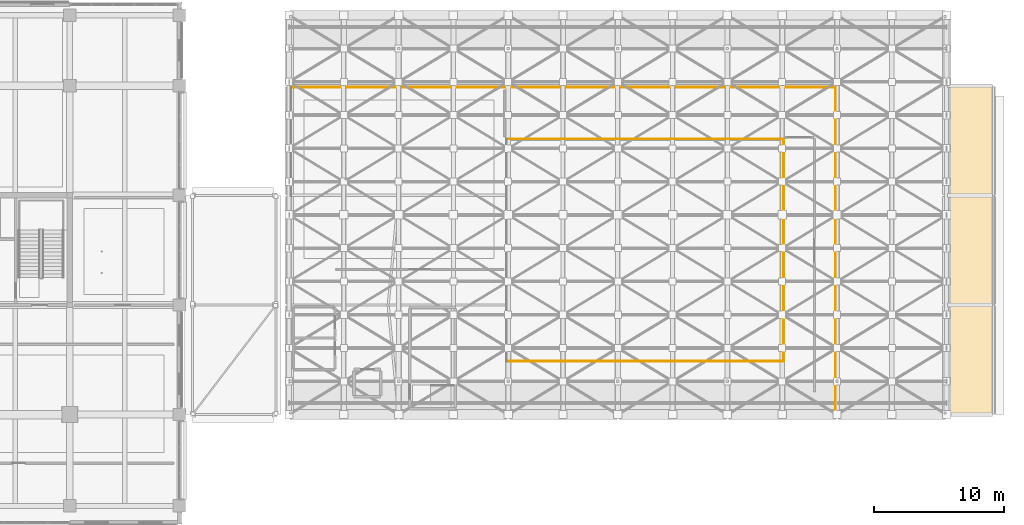
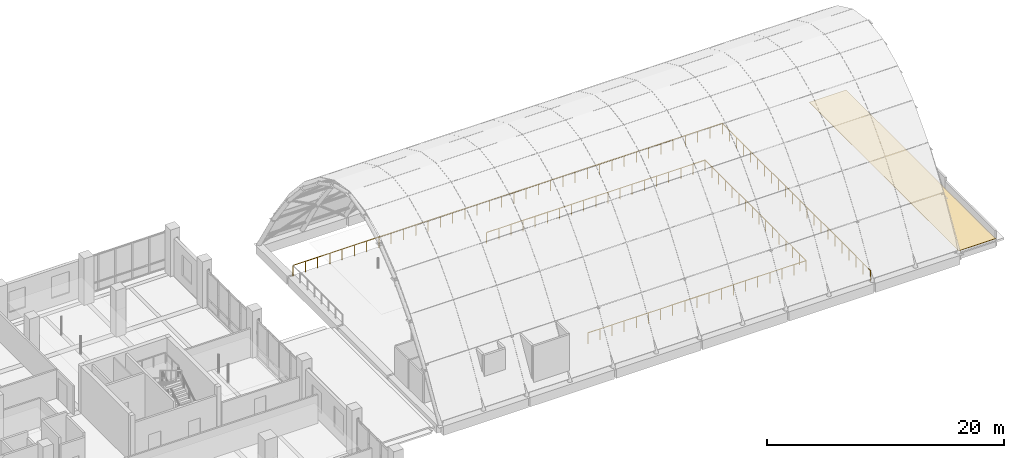
# One storey, part 128 of 128: 5 railings, 1 covering.
"""IFC4 building model written with IfcOpenShell, lengths in metres."""

from ifc_helpers import new_model, si_unit, direction, frame, origin, origin_2d, place, context, subcontext, project, spatial, polyline, circle, outline, extrude, material, layer, layer_set, type_object, element, save


model = new_model("IFC4")

# Units and contexts
model_context = context("Model", 3, precision=1e-05, world=origin(), true_north=direction((0.0, 1.0)))
body_context = subcontext(model_context, "Body", "Model", "MODEL_VIEW")
ifc_project = project(units=[si_unit("LENGTHUNIT", "METRE"), si_unit("AREAUNIT", "SQUARE_METRE"), si_unit("VOLUMEUNIT", "CUBIC_METRE"), si_unit("PLANEANGLEUNIT", "RADIAN"), si_unit("MASSUNIT", "GRAM", prefix="KILO")], contexts=[model_context])

# Site, building, storey
site_placement = place(None, origin())
site = spatial("IfcSite", under=ifc_project, at=site_placement, CompositionType="ELEMENT")
building_placement = place(site_placement, origin())
building = spatial("IfcBuilding", under=site, at=building_placement, Name="Telukmera Botanical Conservatory", CompositionType="ELEMENT")
storey_placement = place(building_placement, frame((0.0, 0.0, 5.39990234375)))
storey = spatial("IfcBuildingStorey", under=building, at=storey_placement, Name="L01", CompositionType="ELEMENT", Elevation=5.39990234375)

# Railings
ifc_material_1 = material(Name="Brushed stainless steel grade 316", Category="steel")
railing_type = type_object("IfcRailingType", Name="Conservatory Canopy Walkway Guardrail 1100", PredefinedType="GUARDRAIL", material=ifc_material_1)
railing_1_placement = place(storey_placement, frame((134.280029296875, 21.679931640625, 0.0)))
element("IfcRailing", 1, at=railing_1_placement, inside=storey, type_object=railing_type, Name="Conservatory Canopy Walkway Guardrail VOID_S", PredefinedType="GUARDRAIL", context=body_context, shape_type="SweptSolid", body=[
    extrude(circle(Radius=0.02490234375, at=origin_2d()), frame((0.0, 0.0, 1.09521484375), z_axis=(1.0, 0.0, 0.0), x_axis=(0.0, 1.0, 0.0)), (0.0, 0.0, 1.0), 21.239990234375),
    extrude(circle(Radius=0.02099609375, at=origin_2d()), origin(), (0.0, 0.0, 1.0), 1.070068359375),
    extrude(circle(Radius=0.02099609375, at=origin_2d()), frame((1.179931640625, 0.0, 0.0)), (0.0, 0.0, 1.0), 1.070068359375),
    extrude(circle(Radius=0.02099609375, at=origin_2d()), frame((2.360107421875, 0.0, 0.0)), (0.0, 0.0, 1.0), 1.070068359375),
    extrude(circle(Radius=0.02099609375, at=origin_2d()), frame((3.5400390625, 0.0, 0.0)), (0.0, 0.0, 1.0), 1.070068359375),
    extrude(circle(Radius=0.02099609375, at=origin_2d()), frame((4.719970703125, 0.0, 0.0)), (0.0, 0.0, 1.0), 1.070068359375),
    extrude(circle(Radius=0.02099609375, at=origin_2d()), frame((5.89990234375, 0.0, 0.0)), (0.0, 0.0, 1.0), 1.070068359375),
    extrude(circle(Radius=0.02099609375, at=origin_2d()), frame((7.080078125, 0.0, 0.0)), (0.0, 0.0, 1.0), 1.070068359375),
    extrude(circle(Radius=0.02099609375, at=origin_2d()), frame((8.260009765625, 0.0, 0.0)), (0.0, 0.0, 1.0), 1.070068359375),
    extrude(circle(Radius=0.02099609375, at=origin_2d()), frame((9.43994140625, 0.0, 0.0)), (0.0, 0.0, 1.0), 1.070068359375),
    extrude(circle(Radius=0.02099609375, at=origin_2d()), frame((10.6201171875, 0.0, 0.0)), (0.0, 0.0, 1.0), 1.070068359375),
    extrude(circle(Radius=0.02099609375, at=origin_2d()), frame((11.800048828125, 0.0, 0.0)), (0.0, 0.0, 1.0), 1.070068359375),
    extrude(circle(Radius=0.02099609375, at=origin_2d()), frame((12.97998046875, 0.0, 0.0)), (0.0, 0.0, 1.0), 1.070068359375),
    extrude(circle(Radius=0.02099609375, at=origin_2d()), frame((14.159912109375, 0.0, 0.0)), (0.0, 0.0, 1.0), 1.070068359375),
    extrude(circle(Radius=0.02099609375, at=origin_2d()), frame((15.340087890625, 0.0, 0.0)), (0.0, 0.0, 1.0), 1.070068359375),
    extrude(circle(Radius=0.02099609375, at=origin_2d()), frame((16.52001953125, 0.0, 0.0)), (0.0, 0.0, 1.0), 1.070068359375),
    extrude(circle(Radius=0.02099609375, at=origin_2d()), frame((17.699951171875, 0.0, 0.0)), (0.0, 0.0, 1.0), 1.070068359375),
    extrude(circle(Radius=0.02099609375, at=origin_2d()), frame((18.8798828125, 0.0, 0.0)), (0.0, 0.0, 1.0), 1.070068359375),
    extrude(circle(Radius=0.02099609375, at=origin_2d()), frame((20.06005859375, 0.0, 0.0)), (0.0, 0.0, 1.0), 1.070068359375),
    extrude(circle(Radius=0.02099609375, at=origin_2d()), frame((21.239990234375, 0.0, 0.0)), (0.0, 0.0, 1.0), 1.070068359375),
])
railing_2_placement = place(storey_placement, frame((155.52001953125, 21.679931640625, 0.0)))
element("IfcRailing", 2, at=railing_2_placement, inside=storey, type_object=railing_type, Name="Conservatory Canopy Walkway Guardrail VOID_E", PredefinedType="GUARDRAIL", context=body_context, shape_type="SweptSolid", body=[
    extrude(circle(Radius=0.02490234375, at=origin_2d()), frame((0.0, 0.0, 1.09521484375), z_axis=(0.0, 1.0, 0.0), x_axis=(-1.0, 0.0, 0.0)), (0.0, 0.0, 1.0), 17.0400390625),
    extrude(circle(Radius=0.02099609375, at=origin_2d()), origin(), (0.0, 0.0, 1.0), 1.070068359375),
    extrude(circle(Radius=0.02099609375, at=origin_2d()), frame((0.0, 1.135986328125, 0.0)), (0.0, 0.0, 1.0), 1.070068359375),
    extrude(circle(Radius=0.02099609375, at=origin_2d()), frame((0.0, 2.27197265625, 0.0)), (0.0, 0.0, 1.0), 1.070068359375),
    extrude(circle(Radius=0.02099609375, at=origin_2d()), frame((0.0, 3.407958984375, 0.0)), (0.0, 0.0, 1.0), 1.070068359375),
    extrude(circle(Radius=0.02099609375, at=origin_2d()), frame((0.0, 4.5439453125, 0.0)), (0.0, 0.0, 1.0), 1.070068359375),
    extrude(circle(Radius=0.02099609375, at=origin_2d()), frame((0.0, 5.679931640625, 0.0)), (0.0, 0.0, 1.0), 1.070068359375),
    extrude(circle(Radius=0.02099609375, at=origin_2d()), frame((0.0, 6.81591796875, 0.0)), (0.0, 0.0, 1.0), 1.070068359375),
    extrude(circle(Radius=0.02099609375, at=origin_2d()), frame((0.0, 7.951904296875, 0.0)), (0.0, 0.0, 1.0), 1.070068359375),
    extrude(circle(Radius=0.02099609375, at=origin_2d()), frame((0.0, 9.088134765625, 0.0)), (0.0, 0.0, 1.0), 1.070068359375),
    extrude(circle(Radius=0.02099609375, at=origin_2d()), frame((0.0, 10.22412109375, 0.0)), (0.0, 0.0, 1.0), 1.070068359375),
    extrude(circle(Radius=0.02099609375, at=origin_2d()), frame((0.0, 11.360107421875, 0.0)), (0.0, 0.0, 1.0), 1.070068359375),
    extrude(circle(Radius=0.02099609375, at=origin_2d()), frame((0.0, 12.49609375, 0.0)), (0.0, 0.0, 1.0), 1.070068359375),
    extrude(circle(Radius=0.02099609375, at=origin_2d()), frame((0.0, 13.632080078125, 0.0)), (0.0, 0.0, 1.0), 1.070068359375),
    extrude(circle(Radius=0.02099609375, at=origin_2d()), frame((0.0, 14.76806640625, 0.0)), (0.0, 0.0, 1.0), 1.070068359375),
    extrude(circle(Radius=0.02099609375, at=origin_2d()), frame((0.0, 15.904052734375, 0.0)), (0.0, 0.0, 1.0), 1.070068359375),
    extrude(circle(Radius=0.02099609375, at=origin_2d()), frame((0.0, 17.0400390625, 0.0)), (0.0, 0.0, 1.0), 1.070068359375),
])
railing_3_placement = place(storey_placement, frame((155.52001953125, 38.719970703125, 0.0)))
element("IfcRailing", 3, at=railing_3_placement, inside=storey, type_object=railing_type, Name="Conservatory Canopy Walkway Guardrail VOID_N", PredefinedType="GUARDRAIL", context=body_context, shape_type="SweptSolid", body=[
    extrude(circle(Radius=0.02490234375, at=origin_2d()), frame((0.0, 0.0, 1.09521484375), z_axis=(-1.0, 0.0, 0.0), x_axis=(0.0, -1.0, 0.0)), (0.0, 0.0, 1.0), 21.239990234375),
    extrude(circle(Radius=0.02099609375, at=origin_2d()), origin(), (0.0, 0.0, 1.0), 1.070068359375),
    extrude(circle(Radius=0.02099609375, at=origin_2d()), frame((-1.179931640625, 0.0, 0.0)), (0.0, 0.0, 1.0), 1.070068359375),
    extrude(circle(Radius=0.02099609375, at=origin_2d()), frame((-2.360107421875, 0.0, 0.0)), (0.0, 0.0, 1.0), 1.070068359375),
    extrude(circle(Radius=0.02099609375, at=origin_2d()), frame((-3.5400390625, 0.0, 0.0)), (0.0, 0.0, 1.0), 1.070068359375),
    extrude(circle(Radius=0.02099609375, at=origin_2d()), frame((-4.719970703125, 0.0, 0.0)), (0.0, 0.0, 1.0), 1.070068359375),
    extrude(circle(Radius=0.02099609375, at=origin_2d()), frame((-5.89990234375, 0.0, 0.0)), (0.0, 0.0, 1.0), 1.070068359375),
    extrude(circle(Radius=0.02099609375, at=origin_2d()), frame((-7.080078125, 0.0, 0.0)), (0.0, 0.0, 1.0), 1.070068359375),
    extrude(circle(Radius=0.02099609375, at=origin_2d()), frame((-8.260009765625, 0.0, 0.0)), (0.0, 0.0, 1.0), 1.070068359375),
    extrude(circle(Radius=0.02099609375, at=origin_2d()), frame((-9.43994140625, 0.0, 0.0)), (0.0, 0.0, 1.0), 1.070068359375),
    extrude(circle(Radius=0.02099609375, at=origin_2d()), frame((-10.6201171875, 0.0, 0.0)), (0.0, 0.0, 1.0), 1.070068359375),
    extrude(circle(Radius=0.02099609375, at=origin_2d()), frame((-11.800048828125, 0.0, 0.0)), (0.0, 0.0, 1.0), 1.070068359375),
    extrude(circle(Radius=0.02099609375, at=origin_2d()), frame((-12.97998046875, 0.0, 0.0)), (0.0, 0.0, 1.0), 1.070068359375),
    extrude(circle(Radius=0.02099609375, at=origin_2d()), frame((-14.159912109375, 0.0, 0.0)), (0.0, 0.0, 1.0), 1.070068359375),
    extrude(circle(Radius=0.02099609375, at=origin_2d()), frame((-15.340087890625, 0.0, 0.0)), (0.0, 0.0, 1.0), 1.070068359375),
    extrude(circle(Radius=0.02099609375, at=origin_2d()), frame((-16.52001953125, 0.0, 0.0)), (0.0, 0.0, 1.0), 1.070068359375),
    extrude(circle(Radius=0.02099609375, at=origin_2d()), frame((-17.699951171875, 0.0, 0.0)), (0.0, 0.0, 1.0), 1.070068359375),
    extrude(circle(Radius=0.02099609375, at=origin_2d()), frame((-18.8798828125, 0.0, 0.0)), (0.0, 0.0, 1.0), 1.070068359375),
    extrude(circle(Radius=0.02099609375, at=origin_2d()), frame((-20.06005859375, 0.0, 0.0)), (0.0, 0.0, 1.0), 1.070068359375),
    extrude(circle(Radius=0.02099609375, at=origin_2d()), frame((-21.239990234375, 0.0, 0.0)), (0.0, 0.0, 1.0), 1.070068359375),
])
railing_4_placement = place(storey_placement, frame((159.47998046875, 17.75, 0.0)))
element("IfcRailing", 4, at=railing_4_placement, inside=storey, type_object=railing_type, Name="Conservatory Canopy Walkway Guardrail OUTER_E", PredefinedType="GUARDRAIL", context=body_context, shape_type="SweptSolid", body=[
    extrude(circle(Radius=0.02490234375, at=origin_2d()), frame((0.0, 0.0, 1.09521484375), z_axis=(0.0, 1.0, 0.0), x_axis=(-1.0, 0.0, 0.0)), (0.0, 0.0, 1.0), 24.929931640625),
    extrude(circle(Radius=0.02099609375, at=origin_2d()), origin(), (0.0, 0.0, 1.0), 1.070068359375),
    extrude(circle(Radius=0.02099609375, at=origin_2d()), frame((0.0, 1.187255859375, 0.0)), (0.0, 0.0, 1.0), 1.070068359375),
    extrude(circle(Radius=0.02099609375, at=origin_2d()), frame((0.0, 2.374267578125, 0.0)), (0.0, 0.0, 1.0), 1.070068359375),
    extrude(circle(Radius=0.02099609375, at=origin_2d()), frame((0.0, 3.5615234375, 0.0)), (0.0, 0.0, 1.0), 1.070068359375),
    extrude(circle(Radius=0.02099609375, at=origin_2d()), frame((0.0, 4.74853515625, 0.0)), (0.0, 0.0, 1.0), 1.070068359375),
    extrude(circle(Radius=0.02099609375, at=origin_2d()), frame((0.0, 5.935791015625, 0.0)), (0.0, 0.0, 1.0), 1.070068359375),
    extrude(circle(Radius=0.02099609375, at=origin_2d()), frame((0.0, 7.122802734375, 0.0)), (0.0, 0.0, 1.0), 1.070068359375),
    extrude(circle(Radius=0.02099609375, at=origin_2d()), frame((0.0, 8.31005859375, 0.0)), (0.0, 0.0, 1.0), 1.070068359375),
    extrude(circle(Radius=0.02099609375, at=origin_2d()), frame((0.0, 9.4970703125, 0.0)), (0.0, 0.0, 1.0), 1.070068359375),
    extrude(circle(Radius=0.02099609375, at=origin_2d()), frame((0.0, 10.684326171875, 0.0)), (0.0, 0.0, 1.0), 1.070068359375),
    extrude(circle(Radius=0.02099609375, at=origin_2d()), frame((0.0, 11.871337890625, 0.0)), (0.0, 0.0, 1.0), 1.070068359375),
    extrude(circle(Radius=0.02099609375, at=origin_2d()), frame((0.0, 13.05859375, 0.0)), (0.0, 0.0, 1.0), 1.070068359375),
    extrude(circle(Radius=0.02099609375, at=origin_2d()), frame((0.0, 14.24560546875, 0.0)), (0.0, 0.0, 1.0), 1.070068359375),
    extrude(circle(Radius=0.02099609375, at=origin_2d()), frame((0.0, 15.432861328125, 0.0)), (0.0, 0.0, 1.0), 1.070068359375),
    extrude(circle(Radius=0.02099609375, at=origin_2d()), frame((0.0, 16.619873046875, 0.0)), (0.0, 0.0, 1.0), 1.070068359375),
    extrude(circle(Radius=0.02099609375, at=origin_2d()), frame((0.0, 17.80712890625, 0.0)), (0.0, 0.0, 1.0), 1.070068359375),
    extrude(circle(Radius=0.02099609375, at=origin_2d()), frame((0.0, 18.994140625, 0.0)), (0.0, 0.0, 1.0), 1.070068359375),
    extrude(circle(Radius=0.02099609375, at=origin_2d()), frame((0.0, 20.181396484375, 0.0)), (0.0, 0.0, 1.0), 1.070068359375),
    extrude(circle(Radius=0.02099609375, at=origin_2d()), frame((0.0, 21.368408203125, 0.0)), (0.0, 0.0, 1.0), 1.070068359375),
    extrude(circle(Radius=0.02099609375, at=origin_2d()), frame((0.0, 22.5556640625, 0.0)), (0.0, 0.0, 1.0), 1.070068359375),
    extrude(circle(Radius=0.02099609375, at=origin_2d()), frame((0.0, 23.74267578125, 0.0)), (0.0, 0.0, 1.0), 1.070068359375),
    extrude(circle(Radius=0.02099609375, at=origin_2d()), frame((0.0, 24.929931640625, 0.0)), (0.0, 0.0, 1.0), 1.070068359375),
])
railing_5_placement = place(storey_placement, frame((117.75, 42.679931640625, 0.0)))
element("IfcRailing", 5, at=railing_5_placement, inside=storey, type_object=railing_type, Name="Conservatory Canopy Walkway Guardrail OUTER_N", PredefinedType="GUARDRAIL", context=body_context, shape_type="SweptSolid", body=[
    extrude(circle(Radius=0.02490234375, at=origin_2d()), frame((0.0, 0.0, 1.09521484375), z_axis=(1.0, 0.0, 0.0), x_axis=(0.0, 1.0, 0.0)), (0.0, 0.0, 1.0), 41.72998046875),
    extrude(circle(Radius=0.02099609375, at=origin_2d()), origin(), (0.0, 0.0, 1.0), 1.070068359375),
    extrude(circle(Radius=0.02099609375, at=origin_2d()), frame((1.1923828125, 0.0, 0.0)), (0.0, 0.0, 1.0), 1.070068359375),
    extrude(circle(Radius=0.02099609375, at=origin_2d()), frame((2.384521484375, 0.0, 0.0)), (0.0, 0.0, 1.0), 1.070068359375),
    extrude(circle(Radius=0.02099609375, at=origin_2d()), frame((3.576904296875, 0.0, 0.0)), (0.0, 0.0, 1.0), 1.070068359375),
    extrude(circle(Radius=0.02099609375, at=origin_2d()), frame((4.76904296875, 0.0, 0.0)), (0.0, 0.0, 1.0), 1.070068359375),
    extrude(circle(Radius=0.02099609375, at=origin_2d()), frame((5.96142578125, 0.0, 0.0)), (0.0, 0.0, 1.0), 1.070068359375),
    extrude(circle(Radius=0.02099609375, at=origin_2d()), frame((7.15380859375, 0.0, 0.0)), (0.0, 0.0, 1.0), 1.070068359375),
    extrude(circle(Radius=0.02099609375, at=origin_2d()), frame((8.345947265625, 0.0, 0.0)), (0.0, 0.0, 1.0), 1.070068359375),
    extrude(circle(Radius=0.02099609375, at=origin_2d()), frame((9.538330078125, 0.0, 0.0)), (0.0, 0.0, 1.0), 1.070068359375),
    extrude(circle(Radius=0.02099609375, at=origin_2d()), frame((10.73046875, 0.0, 0.0)), (0.0, 0.0, 1.0), 1.070068359375),
    extrude(circle(Radius=0.02099609375, at=origin_2d()), frame((11.9228515625, 0.0, 0.0)), (0.0, 0.0, 1.0), 1.070068359375),
    extrude(circle(Radius=0.02099609375, at=origin_2d()), frame((13.115234375, 0.0, 0.0)), (0.0, 0.0, 1.0), 1.070068359375),
    extrude(circle(Radius=0.02099609375, at=origin_2d()), frame((14.307373046875, 0.0, 0.0)), (0.0, 0.0, 1.0), 1.070068359375),
    extrude(circle(Radius=0.02099609375, at=origin_2d()), frame((15.499755859375, 0.0, 0.0)), (0.0, 0.0, 1.0), 1.070068359375),
    extrude(circle(Radius=0.02099609375, at=origin_2d()), frame((16.69189453125, 0.0, 0.0)), (0.0, 0.0, 1.0), 1.070068359375),
    extrude(circle(Radius=0.02099609375, at=origin_2d()), frame((17.88427734375, 0.0, 0.0)), (0.0, 0.0, 1.0), 1.070068359375),
    extrude(circle(Radius=0.02099609375, at=origin_2d()), frame((19.07666015625, 0.0, 0.0)), (0.0, 0.0, 1.0), 1.070068359375),
    extrude(circle(Radius=0.02099609375, at=origin_2d()), frame((20.268798828125, 0.0, 0.0)), (0.0, 0.0, 1.0), 1.070068359375),
    extrude(circle(Radius=0.02099609375, at=origin_2d()), frame((21.461181640625, 0.0, 0.0)), (0.0, 0.0, 1.0), 1.070068359375),
    extrude(circle(Radius=0.02099609375, at=origin_2d()), frame((22.6533203125, 0.0, 0.0)), (0.0, 0.0, 1.0), 1.070068359375),
    extrude(circle(Radius=0.02099609375, at=origin_2d()), frame((23.845703125, 0.0, 0.0)), (0.0, 0.0, 1.0), 1.070068359375),
    extrude(circle(Radius=0.02099609375, at=origin_2d()), frame((25.0380859375, 0.0, 0.0)), (0.0, 0.0, 1.0), 1.070068359375),
    extrude(circle(Radius=0.02099609375, at=origin_2d()), frame((26.230224609375, 0.0, 0.0)), (0.0, 0.0, 1.0), 1.070068359375),
    extrude(circle(Radius=0.02099609375, at=origin_2d()), frame((27.422607421875, 0.0, 0.0)), (0.0, 0.0, 1.0), 1.070068359375),
    extrude(circle(Radius=0.02099609375, at=origin_2d()), frame((28.61474609375, 0.0, 0.0)), (0.0, 0.0, 1.0), 1.070068359375),
    extrude(circle(Radius=0.02099609375, at=origin_2d()), frame((29.80712890625, 0.0, 0.0)), (0.0, 0.0, 1.0), 1.070068359375),
    extrude(circle(Radius=0.02099609375, at=origin_2d()), frame((30.99951171875, 0.0, 0.0)), (0.0, 0.0, 1.0), 1.070068359375),
    extrude(circle(Radius=0.02099609375, at=origin_2d()), frame((32.191650390625, 0.0, 0.0)), (0.0, 0.0, 1.0), 1.070068359375),
    extrude(circle(Radius=0.02099609375, at=origin_2d()), frame((33.384033203125, 0.0, 0.0)), (0.0, 0.0, 1.0), 1.070068359375),
    extrude(circle(Radius=0.02099609375, at=origin_2d()), frame((34.576171875, 0.0, 0.0)), (0.0, 0.0, 1.0), 1.070068359375),
    extrude(circle(Radius=0.02099609375, at=origin_2d()), frame((35.7685546875, 0.0, 0.0)), (0.0, 0.0, 1.0), 1.070068359375),
    extrude(circle(Radius=0.02099609375, at=origin_2d()), frame((36.9609375, 0.0, 0.0)), (0.0, 0.0, 1.0), 1.070068359375),
    extrude(circle(Radius=0.02099609375, at=origin_2d()), frame((38.153076171875, 0.0, 0.0)), (0.0, 0.0, 1.0), 1.070068359375),
    extrude(circle(Radius=0.02099609375, at=origin_2d()), frame((39.345458984375, 0.0, 0.0)), (0.0, 0.0, 1.0), 1.070068359375),
    extrude(circle(Radius=0.02099609375, at=origin_2d()), frame((40.53759765625, 0.0, 0.0)), (0.0, 0.0, 1.0), 1.070068359375),
    extrude(circle(Radius=0.02099609375, at=origin_2d()), frame((41.72998046875, 0.0, 0.0)), (0.0, 0.0, 1.0), 1.070068359375),
])

# Covering
ifc_material_2 = material(Name="Elastomeric bituminous waterproof roofing membrane")
ifc_layer = layer(ifc_material_2, 0.030029296875)
ifc_layer_set = layer_set([ifc_layer], Name="Elastomeric bituminous waterproof roofing membrane")
covering_type = type_object("IfcCoveringType", Name="Elastomeric Bituminous Waterproof Roof Membrane", PredefinedType="ROOFING", material=ifc_layer_set)
covering_placement = place(storey_placement, frame((0.0, 0.0, 0.18017578125)))
element("IfcCovering", 6, at=covering_placement, inside=storey, type_object=covering_type, Name="Conservatory Prep Wing Waterproof Membrane", PredefinedType="ROOFING", context=body_context, shape_type="SweptSolid", body=[
    extrude(outline(polyline([(168.0, 17.60009765625), (171.60009765625, 17.60009765625), (171.60009765625, 42.800048828125), (168.0, 42.800048828125), (168.0, 17.60009765625)])), origin(), (0.0, 0.0, 1.0), 0.030029296875),
])

save(model, "model.ifc")
